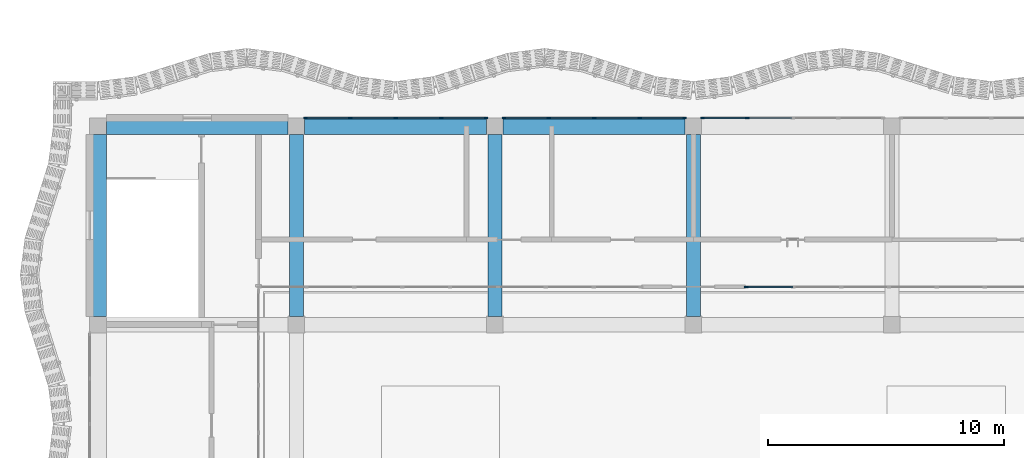
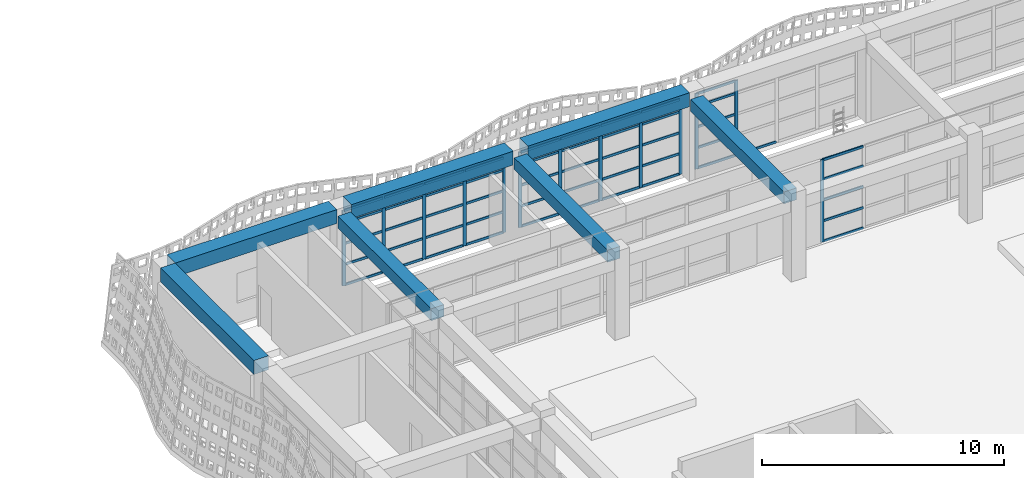
# One storey, part 11 of 85: 64 members, 7 beams, 4 elements without a shape of their own.
"""IFC4 building model written with IfcOpenShell, lengths in metres."""

from ifc_helpers import new_model, si_unit, direction, frame, origin, origin_2d, place, context, subcontext, project, spatial, rectangle, extrude, material, material_profile, profile_set, type_object, element, aggregate, save


model = new_model("IFC4")

# Units and contexts
model_context = context("Model", 3, precision=1e-05, world=origin(), true_north=direction((0.0, 1.0)))
body_context = subcontext(model_context, "Body", "Model", "MODEL_VIEW")
ifc_project = project(units=[si_unit("LENGTHUNIT", "METRE"), si_unit("AREAUNIT", "SQUARE_METRE"), si_unit("VOLUMEUNIT", "CUBIC_METRE"), si_unit("PLANEANGLEUNIT", "RADIAN"), si_unit("MASSUNIT", "GRAM", prefix="KILO")], contexts=[model_context])

# Site, building, storey
site_placement = place(None, origin())
site = spatial("IfcSite", under=ifc_project, at=site_placement, CompositionType="ELEMENT")
building_placement = place(site_placement, origin())
building = spatial("IfcBuilding", under=site, at=building_placement, Name="Rain Tree Exposition and Congress Centre", CompositionType="ELEMENT")
storey_placement = place(building_placement, frame((0.0, 0.0, 15.0)))
storey = spatial("IfcBuildingStorey", under=building, at=storey_placement, Name="L03", CompositionType="ELEMENT", Elevation=15.0)

# Beams
ifc_material_1 = material(Name="Precast concrete C50/60", Category="concrete")
ifc_material_profile_1 = material_profile(ifc_material_1, rectangle(XDim=0.60009765625, YDim=0.60009765625, at=origin_2d()), Name="RC 600x600")
ifc_profile_set_1 = profile_set([ifc_material_profile_1], Name="Precast concrete C50/60")
beam_type_1 = type_object("IfcBeamType", Name="Precast beam 600x600", PredefinedType="BEAM", material=ifc_profile_set_1)
for number, where, z_axis, x_axis, name in (
    (1, (8.39990234375, 42.35009765625, 3.85009765625), (0.0, 1.0, 0.0), (-1.0, 0.0, 0.0), "wing/beam/L03/RF/024"),
    (2, (16.800048828125, 42.35009765625, 3.85009765625), (0.0, 1.0, 0.0), (-1.0, 0.0, 0.0), "wing/beam/L03/RF/032"),
    (3, (25.199951171875, 42.35009765625, 3.85009765625), (0.0, 1.0, 0.0), (-1.0, 0.0, 0.0), "wing/beam/L03/RF/040"),
):
    element("IfcBeam", number, at=place(storey_placement, frame(where, z_axis=z_axis, x_axis=x_axis)), inside=storey, type_object=beam_type_1, Name=name, PredefinedType="BEAM", context=body_context, shape_type="SweptSolid", body=[
        extrude(rectangle(XDim=0.60009765625, YDim=0.60009765625, at=origin_2d()), origin(), (0.0, 0.0, 1.0), 7.699951171875),
    ])
ifc_material_2 = material(Name="Precast concrete C50/60", Category="concrete")
ifc_material_profile_2 = material_profile(ifc_material_2, rectangle(XDim=0.699951171875, YDim=0.699951171875, at=origin_2d()), Name="RC 700x700")
ifc_profile_set_2 = profile_set([ifc_material_profile_2], Name="Precast concrete C50/60")
beam_type_2 = type_object("IfcBeamType", Name="Precast spandrel beam 700x700", PredefinedType="SPANDREL", material=ifc_profile_set_2)
for number, where, z_axis, x_axis, name in (
    (4, (0.0, 42.35009765625, 4.14990234375), (0.0, 1.0, 0.0), (-1.0, 0.0, 0.0), "wing/beam/L03/RF/012"),
    (5, (0.35009765625, 50.39990234375, 4.14990234375), (1.0, 0.0, 0.0), (0.0, 1.0, 0.0), "wing/beam/L03/RF/061"),
    (6, (8.75, 50.39990234375, 4.14990234375), (1.0, 0.0, 0.0), (0.0, 1.0, 0.0), "wing/beam/L03/RF/063"),
):
    element("IfcBeam", number, at=place(storey_placement, frame(where, z_axis=z_axis, x_axis=x_axis)), inside=storey, type_object=beam_type_2, Name=name, PredefinedType="SPANDREL", context=body_context, shape_type="SweptSolid", body=[
        extrude(rectangle(XDim=0.699951171875, YDim=0.699951171875, at=origin_2d()), origin(), (0.0, 0.0, 1.0), 7.699951171875),
    ])
beam_placement = place(storey_placement, frame((17.14990234375, 50.39990234375, 4.14990234375), z_axis=(1.0, 0.0, 0.0), x_axis=(0.0, 1.0, 0.0)))
element("IfcBeam", 7, at=beam_placement, inside=storey, type_object=beam_type_2, Name="wing/beam/L03/RF/065", PredefinedType="SPANDREL", context=body_context, shape_type="SweptSolid", body=[
    extrude(rectangle(XDim=0.699951171875, YDim=0.699951171875, at=origin_2d()), origin(), (0.0, 0.0, 1.0), 7.7001953125),
])

# Curtain wall, members
ifc_material_3 = material(Name="Aluminium curtain wall", Category="aluminium")
curtain_wall_type = type_object("IfcCurtainWallType", Name="Wing curtain wall 1925", PredefinedType="NOTDEFINED", material=ifc_material_3)
curtain_wall_1_placement = place(storey_placement, origin())
curtain_wall_1 = element("IfcCurtainWall", 8, at=curtain_wall_1_placement, inside=storey, type_object=curtain_wall_type, Name="Curtain wall CWW404", PredefinedType="NOTDEFINED")
ifc_material_4 = material(Name="Aluminium", Category="aluminium")
ifc_material_profile_3 = material_profile(ifc_material_4, rectangle(XDim=0.06005859375, YDim=0.159912109375, at=origin_2d()), Name="Aluminium 60x160")
ifc_profile_set_3 = profile_set([ifc_material_profile_3], Name="Aluminium")
member_type_1 = type_object("IfcMemberType", Name="Wing mullion 60x160", PredefinedType="MULLION", material=ifc_profile_set_3)
member_1_placement = place(storey_placement, frame((8.780029296875, 50.75, 0.0), z_axis=(0.0, 0.0, 1.0), x_axis=(0.0, 1.0, 0.0)))
member_1 = element("IfcMember", 9, at=member_1_placement, type_object=member_type_1, Name="CWW404 mullion 1", PredefinedType="MULLION", context=body_context, shape_type="SweptSolid", body=[
    extrude(rectangle(XDim=0.06005859375, YDim=0.159912109375, at=origin_2d()), origin(), (0.0, 0.0, 1.0), 3.800048828125),
])
member_2_placement = place(storey_placement, frame((10.675048828125, 50.75, 0.0), z_axis=(0.0, 0.0, 1.0), x_axis=(0.0, 1.0, 0.0)))
member_2 = element("IfcMember", 10, at=member_2_placement, type_object=member_type_1, Name="CWW404 mullion 2", PredefinedType="MULLION", context=body_context, shape_type="SweptSolid", body=[
    extrude(rectangle(XDim=0.06005859375, YDim=0.159912109375, at=origin_2d()), origin(), (0.0, 0.0, 1.0), 3.800048828125),
])
member_3_placement = place(storey_placement, frame((12.60009765625, 50.75, 0.0), z_axis=(0.0, 0.0, 1.0), x_axis=(0.0, 1.0, 0.0)))
member_3 = element("IfcMember", 11, at=member_3_placement, type_object=member_type_1, Name="CWW404 mullion 3", PredefinedType="MULLION", context=body_context, shape_type="SweptSolid", body=[
    extrude(rectangle(XDim=0.06005859375, YDim=0.159912109375, at=origin_2d()), origin(), (0.0, 0.0, 1.0), 3.800048828125),
])
member_4_placement = place(storey_placement, frame((14.52490234375, 50.75, 0.0), z_axis=(0.0, 0.0, 1.0), x_axis=(0.0, 1.0, 0.0)))
member_4 = element("IfcMember", 12, at=member_4_placement, type_object=member_type_1, Name="CWW404 mullion 4", PredefinedType="MULLION", context=body_context, shape_type="SweptSolid", body=[
    extrude(rectangle(XDim=0.06005859375, YDim=0.159912109375, at=origin_2d()), origin(), (0.0, 0.0, 1.0), 3.800048828125),
])
member_5_placement = place(storey_placement, frame((16.419921875, 50.75, 0.0), z_axis=(0.0, 0.0, 1.0), x_axis=(0.0, 1.0, 0.0)))
member_5 = element("IfcMember", 13, at=member_5_placement, type_object=member_type_1, Name="CWW404 mullion 5", PredefinedType="MULLION", context=body_context, shape_type="SweptSolid", body=[
    extrude(rectangle(XDim=0.06005859375, YDim=0.159912109375, at=origin_2d()), origin(), (0.0, 0.0, 1.0), 3.800048828125),
])

curtain_wall_2_placement = place(storey_placement, origin())
curtain_wall_2 = element("IfcCurtainWall", 14, at=curtain_wall_2_placement, inside=storey, type_object=curtain_wall_type, Name="Curtain wall CWW405", PredefinedType="NOTDEFINED")
member_6_placement = place(storey_placement, frame((17.179931640625, 50.75, 0.0), z_axis=(0.0, 0.0, 1.0), x_axis=(0.0, 1.0, 0.0)))
member_6 = element("IfcMember", 15, at=member_6_placement, type_object=member_type_1, Name="CWW405 mullion 1", PredefinedType="MULLION", context=body_context, shape_type="SweptSolid", body=[
    extrude(rectangle(XDim=0.06005859375, YDim=0.159912109375, at=origin_2d()), origin(), (0.0, 0.0, 1.0), 3.800048828125),
])
member_7_placement = place(storey_placement, frame((19.074951171875, 50.75, 0.0), z_axis=(0.0, 0.0, 1.0), x_axis=(0.0, 1.0, 0.0)))
member_7 = element("IfcMember", 16, at=member_7_placement, type_object=member_type_1, Name="CWW405 mullion 2", PredefinedType="MULLION", context=body_context, shape_type="SweptSolid", body=[
    extrude(rectangle(XDim=0.06005859375, YDim=0.159912109375, at=origin_2d()), origin(), (0.0, 0.0, 1.0), 3.800048828125),
])
member_8_placement = place(storey_placement, frame((21.0, 50.75, 0.0), z_axis=(0.0, 0.0, 1.0), x_axis=(0.0, 1.0, 0.0)))
member_8 = element("IfcMember", 17, at=member_8_placement, type_object=member_type_1, Name="CWW405 mullion 3", PredefinedType="MULLION", context=body_context, shape_type="SweptSolid", body=[
    extrude(rectangle(XDim=0.06005859375, YDim=0.159912109375, at=origin_2d()), origin(), (0.0, 0.0, 1.0), 3.800048828125),
])
member_9_placement = place(storey_placement, frame((22.925048828125, 50.75, 0.0), z_axis=(0.0, 0.0, 1.0), x_axis=(0.0, 1.0, 0.0)))
member_9 = element("IfcMember", 18, at=member_9_placement, type_object=member_type_1, Name="CWW405 mullion 4", PredefinedType="MULLION", context=body_context, shape_type="SweptSolid", body=[
    extrude(rectangle(XDim=0.06005859375, YDim=0.159912109375, at=origin_2d()), origin(), (0.0, 0.0, 1.0), 3.800048828125),
])
member_10_placement = place(storey_placement, frame((24.820068359375, 50.75, 0.0), z_axis=(0.0, 0.0, 1.0), x_axis=(0.0, 1.0, 0.0)))
member_10 = element("IfcMember", 19, at=member_10_placement, type_object=member_type_1, Name="CWW405 mullion 5", PredefinedType="MULLION", context=body_context, shape_type="SweptSolid", body=[
    extrude(rectangle(XDim=0.06005859375, YDim=0.159912109375, at=origin_2d()), origin(), (0.0, 0.0, 1.0), 3.800048828125),
])

curtain_wall_3_placement = place(storey_placement, origin())
curtain_wall_3 = element("IfcCurtainWall", 20, at=curtain_wall_3_placement, inside=storey, type_object=curtain_wall_type, Name="Curtain wall CWW406", PredefinedType="NOTDEFINED")
member_11_placement = place(storey_placement, frame((25.580078125, 50.75, 0.0), z_axis=(0.0, 0.0, 1.0), x_axis=(0.0, 1.0, 0.0)))
member_11 = element("IfcMember", 21, at=member_11_placement, type_object=member_type_1, Name="CWW406 mullion 1", PredefinedType="MULLION", context=body_context, shape_type="SweptSolid", body=[
    extrude(rectangle(XDim=0.06005859375, YDim=0.159912109375, at=origin_2d()), origin(), (0.0, 0.0, 1.0), 3.800048828125),
])
member_12_placement = place(storey_placement, frame((27.47509765625, 50.75, 0.0), z_axis=(0.0, 0.0, 1.0), x_axis=(0.0, 1.0, 0.0)))
member_12 = element("IfcMember", 22, at=member_12_placement, type_object=member_type_1, Name="CWW406 mullion 2", PredefinedType="MULLION", context=body_context, shape_type="SweptSolid", body=[
    extrude(rectangle(XDim=0.06005859375, YDim=0.159912109375, at=origin_2d()), origin(), (0.0, 0.0, 1.0), 3.800048828125),
])

# Curtain wall, member
curtain_wall_4_placement = place(storey_placement, origin())
curtain_wall_4 = element("IfcCurtainWall", 23, at=curtain_wall_4_placement, inside=storey, type_object=curtain_wall_type, Name="Curtain wall CWW504", PredefinedType="NOTDEFINED")
member_13_placement = place(storey_placement, frame((27.429931640625, 43.60009765625, 0.0), z_axis=(0.0, 0.0, 1.0), x_axis=(0.0, 1.0, 0.0)))
member_13 = element("IfcMember", 24, at=member_13_placement, type_object=member_type_1, Name="CWW504 mullion 1", PredefinedType="MULLION", context=body_context, shape_type="SweptSolid", body=[
    extrude(rectangle(XDim=0.06005859375, YDim=0.159912109375, at=origin_2d()), origin(), (0.0, 0.0, 1.0), 4.14990234375),
])

# Member
ifc_material_5 = material(Name="Aluminium", Category="aluminium")
ifc_material_profile_4 = material_profile(ifc_material_5, rectangle(XDim=0.06005859375, YDim=0.1201171875, at=origin_2d()), Name="Aluminium 60x120")
ifc_profile_set_4 = profile_set([ifc_material_profile_4], Name="Aluminium")
member_type_2 = type_object("IfcMemberType", Name="Wing transom 60x120", PredefinedType="USERDEFINED", material=ifc_profile_set_4)
member_14_placement = place(storey_placement, frame((8.81005859375, 50.75, 0.030029296875), z_axis=(1.0, 0.0, 0.0), x_axis=(0.0, 1.0, 0.0)))
member_14 = element("IfcMember", 25, at=member_14_placement, type_object=member_type_2, Name="CWW404 transom 1.1", ObjectType="TRANSOM", PredefinedType="USERDEFINED", context=body_context, shape_type="SweptSolid", body=[
    extrude(rectangle(XDim=0.06005859375, YDim=0.1201171875, at=origin_2d()), origin(), (0.0, 0.0, 1.0), 1.8349609375),
])

member_15_placement = place(storey_placement, frame((8.81005859375, 50.75, 1.050048828125), z_axis=(1.0, 0.0, 0.0), x_axis=(0.0, 1.0, 0.0)))
member_15 = element("IfcMember", 26, at=member_15_placement, type_object=member_type_2, Name="CWW404 transom 1.2", ObjectType="TRANSOM", PredefinedType="USERDEFINED", context=body_context, shape_type="SweptSolid", body=[
    extrude(rectangle(XDim=0.06005859375, YDim=0.1201171875, at=origin_2d()), origin(), (0.0, 0.0, 1.0), 1.8349609375),
])

member_16_placement = place(storey_placement, frame((8.81005859375, 50.75, 2.10009765625), z_axis=(1.0, 0.0, 0.0), x_axis=(0.0, 1.0, 0.0)))
member_16 = element("IfcMember", 27, at=member_16_placement, type_object=member_type_2, Name="CWW404 transom 1.3", ObjectType="TRANSOM", PredefinedType="USERDEFINED", context=body_context, shape_type="SweptSolid", body=[
    extrude(rectangle(XDim=0.06005859375, YDim=0.1201171875, at=origin_2d()), origin(), (0.0, 0.0, 1.0), 1.8349609375),
])

member_17_placement = place(storey_placement, frame((8.81005859375, 50.75, 3.14990234375), z_axis=(1.0, 0.0, 0.0), x_axis=(0.0, 1.0, 0.0)))
member_17 = element("IfcMember", 28, at=member_17_placement, type_object=member_type_2, Name="CWW404 transom 1.4", ObjectType="TRANSOM", PredefinedType="USERDEFINED", context=body_context, shape_type="SweptSolid", body=[
    extrude(rectangle(XDim=0.06005859375, YDim=0.1201171875, at=origin_2d()), origin(), (0.0, 0.0, 1.0), 1.8349609375),
])

member_18_placement = place(storey_placement, frame((8.81005859375, 50.75, 3.77001953125), z_axis=(1.0, 0.0, 0.0), x_axis=(0.0, 1.0, 0.0)))
member_18 = element("IfcMember", 29, at=member_18_placement, type_object=member_type_2, Name="CWW404 transom 1.5", ObjectType="TRANSOM", PredefinedType="USERDEFINED", context=body_context, shape_type="SweptSolid", body=[
    extrude(rectangle(XDim=0.06005859375, YDim=0.1201171875, at=origin_2d()), origin(), (0.0, 0.0, 1.0), 1.8349609375),
])

member_19_placement = place(storey_placement, frame((10.705078125, 50.75, 0.030029296875), z_axis=(1.0, 0.0, 0.0), x_axis=(0.0, 1.0, 0.0)))
member_19 = element("IfcMember", 30, at=member_19_placement, type_object=member_type_2, Name="CWW404 transom 2.1", ObjectType="TRANSOM", PredefinedType="USERDEFINED", context=body_context, shape_type="SweptSolid", body=[
    extrude(rectangle(XDim=0.06005859375, YDim=0.1201171875, at=origin_2d()), origin(), (0.0, 0.0, 1.0), 1.864990234375),
])

member_20_placement = place(storey_placement, frame((10.705078125, 50.75, 1.050048828125), z_axis=(1.0, 0.0, 0.0), x_axis=(0.0, 1.0, 0.0)))
member_20 = element("IfcMember", 31, at=member_20_placement, type_object=member_type_2, Name="CWW404 transom 2.2", ObjectType="TRANSOM", PredefinedType="USERDEFINED", context=body_context, shape_type="SweptSolid", body=[
    extrude(rectangle(XDim=0.06005859375, YDim=0.1201171875, at=origin_2d()), origin(), (0.0, 0.0, 1.0), 1.864990234375),
])

member_21_placement = place(storey_placement, frame((10.705078125, 50.75, 2.10009765625), z_axis=(1.0, 0.0, 0.0), x_axis=(0.0, 1.0, 0.0)))
member_21 = element("IfcMember", 32, at=member_21_placement, type_object=member_type_2, Name="CWW404 transom 2.3", ObjectType="TRANSOM", PredefinedType="USERDEFINED", context=body_context, shape_type="SweptSolid", body=[
    extrude(rectangle(XDim=0.06005859375, YDim=0.1201171875, at=origin_2d()), origin(), (0.0, 0.0, 1.0), 1.864990234375),
])

member_22_placement = place(storey_placement, frame((10.705078125, 50.75, 3.14990234375), z_axis=(1.0, 0.0, 0.0), x_axis=(0.0, 1.0, 0.0)))
member_22 = element("IfcMember", 33, at=member_22_placement, type_object=member_type_2, Name="CWW404 transom 2.4", ObjectType="TRANSOM", PredefinedType="USERDEFINED", context=body_context, shape_type="SweptSolid", body=[
    extrude(rectangle(XDim=0.06005859375, YDim=0.1201171875, at=origin_2d()), origin(), (0.0, 0.0, 1.0), 1.864990234375),
])

member_23_placement = place(storey_placement, frame((10.705078125, 50.75, 3.77001953125), z_axis=(1.0, 0.0, 0.0), x_axis=(0.0, 1.0, 0.0)))
member_23 = element("IfcMember", 34, at=member_23_placement, type_object=member_type_2, Name="CWW404 transom 2.5", ObjectType="TRANSOM", PredefinedType="USERDEFINED", context=body_context, shape_type="SweptSolid", body=[
    extrude(rectangle(XDim=0.06005859375, YDim=0.1201171875, at=origin_2d()), origin(), (0.0, 0.0, 1.0), 1.864990234375),
])

member_24_placement = place(storey_placement, frame((12.6298828125, 50.75, 0.030029296875), z_axis=(1.0, 0.0, 0.0), x_axis=(0.0, 1.0, 0.0)))
member_24 = element("IfcMember", 35, at=member_24_placement, type_object=member_type_2, Name="CWW404 transom 3.1", ObjectType="TRANSOM", PredefinedType="USERDEFINED", context=body_context, shape_type="SweptSolid", body=[
    extrude(rectangle(XDim=0.06005859375, YDim=0.1201171875, at=origin_2d()), origin(), (0.0, 0.0, 1.0), 1.865234375),
])

member_25_placement = place(storey_placement, frame((12.6298828125, 50.75, 1.050048828125), z_axis=(1.0, 0.0, 0.0), x_axis=(0.0, 1.0, 0.0)))
member_25 = element("IfcMember", 36, at=member_25_placement, type_object=member_type_2, Name="CWW404 transom 3.2", ObjectType="TRANSOM", PredefinedType="USERDEFINED", context=body_context, shape_type="SweptSolid", body=[
    extrude(rectangle(XDim=0.06005859375, YDim=0.1201171875, at=origin_2d()), origin(), (0.0, 0.0, 1.0), 1.865234375),
])

member_26_placement = place(storey_placement, frame((12.6298828125, 50.75, 2.10009765625), z_axis=(1.0, 0.0, 0.0), x_axis=(0.0, 1.0, 0.0)))
member_26 = element("IfcMember", 37, at=member_26_placement, type_object=member_type_2, Name="CWW404 transom 3.3", ObjectType="TRANSOM", PredefinedType="USERDEFINED", context=body_context, shape_type="SweptSolid", body=[
    extrude(rectangle(XDim=0.06005859375, YDim=0.1201171875, at=origin_2d()), origin(), (0.0, 0.0, 1.0), 1.865234375),
])

member_27_placement = place(storey_placement, frame((12.6298828125, 50.75, 3.14990234375), z_axis=(1.0, 0.0, 0.0), x_axis=(0.0, 1.0, 0.0)))
member_27 = element("IfcMember", 38, at=member_27_placement, type_object=member_type_2, Name="CWW404 transom 3.4", ObjectType="TRANSOM", PredefinedType="USERDEFINED", context=body_context, shape_type="SweptSolid", body=[
    extrude(rectangle(XDim=0.06005859375, YDim=0.1201171875, at=origin_2d()), origin(), (0.0, 0.0, 1.0), 1.865234375),
])

member_28_placement = place(storey_placement, frame((12.6298828125, 50.75, 3.77001953125), z_axis=(1.0, 0.0, 0.0), x_axis=(0.0, 1.0, 0.0)))
member_28 = element("IfcMember", 39, at=member_28_placement, type_object=member_type_2, Name="CWW404 transom 3.5", ObjectType="TRANSOM", PredefinedType="USERDEFINED", context=body_context, shape_type="SweptSolid", body=[
    extrude(rectangle(XDim=0.06005859375, YDim=0.1201171875, at=origin_2d()), origin(), (0.0, 0.0, 1.0), 1.865234375),
])

member_29_placement = place(storey_placement, frame((14.554931640625, 50.75, 0.030029296875), z_axis=(1.0, 0.0, 0.0), x_axis=(0.0, 1.0, 0.0)))
member_29 = element("IfcMember", 40, at=member_29_placement, type_object=member_type_2, Name="CWW404 transom 4.1", ObjectType="TRANSOM", PredefinedType="USERDEFINED", context=body_context, shape_type="SweptSolid", body=[
    extrude(rectangle(XDim=0.06005859375, YDim=0.1201171875, at=origin_2d()), origin(), (0.0, 0.0, 1.0), 1.8349609375),
])

member_30_placement = place(storey_placement, frame((14.554931640625, 50.75, 1.050048828125), z_axis=(1.0, 0.0, 0.0), x_axis=(0.0, 1.0, 0.0)))
member_30 = element("IfcMember", 41, at=member_30_placement, type_object=member_type_2, Name="CWW404 transom 4.2", ObjectType="TRANSOM", PredefinedType="USERDEFINED", context=body_context, shape_type="SweptSolid", body=[
    extrude(rectangle(XDim=0.06005859375, YDim=0.1201171875, at=origin_2d()), origin(), (0.0, 0.0, 1.0), 1.8349609375),
])

member_31_placement = place(storey_placement, frame((14.554931640625, 50.75, 2.10009765625), z_axis=(1.0, 0.0, 0.0), x_axis=(0.0, 1.0, 0.0)))
member_31 = element("IfcMember", 42, at=member_31_placement, type_object=member_type_2, Name="CWW404 transom 4.3", ObjectType="TRANSOM", PredefinedType="USERDEFINED", context=body_context, shape_type="SweptSolid", body=[
    extrude(rectangle(XDim=0.06005859375, YDim=0.1201171875, at=origin_2d()), origin(), (0.0, 0.0, 1.0), 1.8349609375),
])

member_32_placement = place(storey_placement, frame((14.554931640625, 50.75, 3.14990234375), z_axis=(1.0, 0.0, 0.0), x_axis=(0.0, 1.0, 0.0)))
member_32 = element("IfcMember", 43, at=member_32_placement, type_object=member_type_2, Name="CWW404 transom 4.4", ObjectType="TRANSOM", PredefinedType="USERDEFINED", context=body_context, shape_type="SweptSolid", body=[
    extrude(rectangle(XDim=0.06005859375, YDim=0.1201171875, at=origin_2d()), origin(), (0.0, 0.0, 1.0), 1.8349609375),
])

member_33_placement = place(storey_placement, frame((14.554931640625, 50.75, 3.77001953125), z_axis=(1.0, 0.0, 0.0), x_axis=(0.0, 1.0, 0.0)))
member_33 = element("IfcMember", 44, at=member_33_placement, type_object=member_type_2, Name="CWW404 transom 4.5", ObjectType="TRANSOM", PredefinedType="USERDEFINED", context=body_context, shape_type="SweptSolid", body=[
    extrude(rectangle(XDim=0.06005859375, YDim=0.1201171875, at=origin_2d()), origin(), (0.0, 0.0, 1.0), 1.8349609375),
])

aggregate(curtain_wall_1, [member_1, member_2, member_3, member_4, member_5, member_14, member_15, member_16, member_17, member_18, member_19, member_20, member_21, member_22, member_23, member_24, member_25, member_26, member_27, member_28, member_29, member_30, member_31, member_32, member_33])

member_34_placement = place(storey_placement, frame((17.2099609375, 50.75, 0.030029296875), z_axis=(1.0, 0.0, 0.0), x_axis=(0.0, 1.0, 0.0)))
member_34 = element("IfcMember", 45, at=member_34_placement, type_object=member_type_2, Name="CWW405 transom 1.1", ObjectType="TRANSOM", PredefinedType="USERDEFINED", context=body_context, shape_type="SweptSolid", body=[
    extrude(rectangle(XDim=0.06005859375, YDim=0.1201171875, at=origin_2d()), origin(), (0.0, 0.0, 1.0), 1.8349609375),
])

member_35_placement = place(storey_placement, frame((17.2099609375, 50.75, 1.050048828125), z_axis=(1.0, 0.0, 0.0), x_axis=(0.0, 1.0, 0.0)))
member_35 = element("IfcMember", 46, at=member_35_placement, type_object=member_type_2, Name="CWW405 transom 1.2", ObjectType="TRANSOM", PredefinedType="USERDEFINED", context=body_context, shape_type="SweptSolid", body=[
    extrude(rectangle(XDim=0.06005859375, YDim=0.1201171875, at=origin_2d()), origin(), (0.0, 0.0, 1.0), 1.8349609375),
])

member_36_placement = place(storey_placement, frame((17.2099609375, 50.75, 2.10009765625), z_axis=(1.0, 0.0, 0.0), x_axis=(0.0, 1.0, 0.0)))
member_36 = element("IfcMember", 47, at=member_36_placement, type_object=member_type_2, Name="CWW405 transom 1.3", ObjectType="TRANSOM", PredefinedType="USERDEFINED", context=body_context, shape_type="SweptSolid", body=[
    extrude(rectangle(XDim=0.06005859375, YDim=0.1201171875, at=origin_2d()), origin(), (0.0, 0.0, 1.0), 1.8349609375),
])

member_37_placement = place(storey_placement, frame((17.2099609375, 50.75, 3.14990234375), z_axis=(1.0, 0.0, 0.0), x_axis=(0.0, 1.0, 0.0)))
member_37 = element("IfcMember", 48, at=member_37_placement, type_object=member_type_2, Name="CWW405 transom 1.4", ObjectType="TRANSOM", PredefinedType="USERDEFINED", context=body_context, shape_type="SweptSolid", body=[
    extrude(rectangle(XDim=0.06005859375, YDim=0.1201171875, at=origin_2d()), origin(), (0.0, 0.0, 1.0), 1.8349609375),
])

member_38_placement = place(storey_placement, frame((17.2099609375, 50.75, 3.77001953125), z_axis=(1.0, 0.0, 0.0), x_axis=(0.0, 1.0, 0.0)))
member_38 = element("IfcMember", 49, at=member_38_placement, type_object=member_type_2, Name="CWW405 transom 1.5", ObjectType="TRANSOM", PredefinedType="USERDEFINED", context=body_context, shape_type="SweptSolid", body=[
    extrude(rectangle(XDim=0.06005859375, YDim=0.1201171875, at=origin_2d()), origin(), (0.0, 0.0, 1.0), 1.8349609375),
])

member_39_placement = place(storey_placement, frame((19.10498046875, 50.75, 0.030029296875), z_axis=(1.0, 0.0, 0.0), x_axis=(0.0, 1.0, 0.0)))
member_39 = element("IfcMember", 50, at=member_39_placement, type_object=member_type_2, Name="CWW405 transom 2.1", ObjectType="TRANSOM", PredefinedType="USERDEFINED", context=body_context, shape_type="SweptSolid", body=[
    extrude(rectangle(XDim=0.06005859375, YDim=0.1201171875, at=origin_2d()), origin(), (0.0, 0.0, 1.0), 1.864990234375),
])

member_40_placement = place(storey_placement, frame((19.10498046875, 50.75, 1.050048828125), z_axis=(1.0, 0.0, 0.0), x_axis=(0.0, 1.0, 0.0)))
member_40 = element("IfcMember", 51, at=member_40_placement, type_object=member_type_2, Name="CWW405 transom 2.2", ObjectType="TRANSOM", PredefinedType="USERDEFINED", context=body_context, shape_type="SweptSolid", body=[
    extrude(rectangle(XDim=0.06005859375, YDim=0.1201171875, at=origin_2d()), origin(), (0.0, 0.0, 1.0), 1.864990234375),
])

member_41_placement = place(storey_placement, frame((19.10498046875, 50.75, 2.10009765625), z_axis=(1.0, 0.0, 0.0), x_axis=(0.0, 1.0, 0.0)))
member_41 = element("IfcMember", 52, at=member_41_placement, type_object=member_type_2, Name="CWW405 transom 2.3", ObjectType="TRANSOM", PredefinedType="USERDEFINED", context=body_context, shape_type="SweptSolid", body=[
    extrude(rectangle(XDim=0.06005859375, YDim=0.1201171875, at=origin_2d()), origin(), (0.0, 0.0, 1.0), 1.864990234375),
])

member_42_placement = place(storey_placement, frame((19.10498046875, 50.75, 3.14990234375), z_axis=(1.0, 0.0, 0.0), x_axis=(0.0, 1.0, 0.0)))
member_42 = element("IfcMember", 53, at=member_42_placement, type_object=member_type_2, Name="CWW405 transom 2.4", ObjectType="TRANSOM", PredefinedType="USERDEFINED", context=body_context, shape_type="SweptSolid", body=[
    extrude(rectangle(XDim=0.06005859375, YDim=0.1201171875, at=origin_2d()), origin(), (0.0, 0.0, 1.0), 1.864990234375),
])

member_43_placement = place(storey_placement, frame((19.10498046875, 50.75, 3.77001953125), z_axis=(1.0, 0.0, 0.0), x_axis=(0.0, 1.0, 0.0)))
member_43 = element("IfcMember", 54, at=member_43_placement, type_object=member_type_2, Name="CWW405 transom 2.5", ObjectType="TRANSOM", PredefinedType="USERDEFINED", context=body_context, shape_type="SweptSolid", body=[
    extrude(rectangle(XDim=0.06005859375, YDim=0.1201171875, at=origin_2d()), origin(), (0.0, 0.0, 1.0), 1.864990234375),
])

member_44_placement = place(storey_placement, frame((21.030029296875, 50.75, 0.030029296875), z_axis=(1.0, 0.0, 0.0), x_axis=(0.0, 1.0, 0.0)))
member_44 = element("IfcMember", 55, at=member_44_placement, type_object=member_type_2, Name="CWW405 transom 3.1", ObjectType="TRANSOM", PredefinedType="USERDEFINED", context=body_context, shape_type="SweptSolid", body=[
    extrude(rectangle(XDim=0.06005859375, YDim=0.1201171875, at=origin_2d()), origin(), (0.0, 0.0, 1.0), 1.864990234375),
])

member_45_placement = place(storey_placement, frame((21.030029296875, 50.75, 1.050048828125), z_axis=(1.0, 0.0, 0.0), x_axis=(0.0, 1.0, 0.0)))
member_45 = element("IfcMember", 56, at=member_45_placement, type_object=member_type_2, Name="CWW405 transom 3.2", ObjectType="TRANSOM", PredefinedType="USERDEFINED", context=body_context, shape_type="SweptSolid", body=[
    extrude(rectangle(XDim=0.06005859375, YDim=0.1201171875, at=origin_2d()), origin(), (0.0, 0.0, 1.0), 1.864990234375),
])

member_46_placement = place(storey_placement, frame((21.030029296875, 50.75, 2.10009765625), z_axis=(1.0, 0.0, 0.0), x_axis=(0.0, 1.0, 0.0)))
member_46 = element("IfcMember", 57, at=member_46_placement, type_object=member_type_2, Name="CWW405 transom 3.3", ObjectType="TRANSOM", PredefinedType="USERDEFINED", context=body_context, shape_type="SweptSolid", body=[
    extrude(rectangle(XDim=0.06005859375, YDim=0.1201171875, at=origin_2d()), origin(), (0.0, 0.0, 1.0), 1.864990234375),
])

member_47_placement = place(storey_placement, frame((21.030029296875, 50.75, 3.14990234375), z_axis=(1.0, 0.0, 0.0), x_axis=(0.0, 1.0, 0.0)))
member_47 = element("IfcMember", 58, at=member_47_placement, type_object=member_type_2, Name="CWW405 transom 3.4", ObjectType="TRANSOM", PredefinedType="USERDEFINED", context=body_context, shape_type="SweptSolid", body=[
    extrude(rectangle(XDim=0.06005859375, YDim=0.1201171875, at=origin_2d()), origin(), (0.0, 0.0, 1.0), 1.864990234375),
])

member_48_placement = place(storey_placement, frame((21.030029296875, 50.75, 3.77001953125), z_axis=(1.0, 0.0, 0.0), x_axis=(0.0, 1.0, 0.0)))
member_48 = element("IfcMember", 59, at=member_48_placement, type_object=member_type_2, Name="CWW405 transom 3.5", ObjectType="TRANSOM", PredefinedType="USERDEFINED", context=body_context, shape_type="SweptSolid", body=[
    extrude(rectangle(XDim=0.06005859375, YDim=0.1201171875, at=origin_2d()), origin(), (0.0, 0.0, 1.0), 1.864990234375),
])

member_49_placement = place(storey_placement, frame((22.955078125, 50.75, 0.030029296875), z_axis=(1.0, 0.0, 0.0), x_axis=(0.0, 1.0, 0.0)))
member_49 = element("IfcMember", 60, at=member_49_placement, type_object=member_type_2, Name="CWW405 transom 4.1", ObjectType="TRANSOM", PredefinedType="USERDEFINED", context=body_context, shape_type="SweptSolid", body=[
    extrude(rectangle(XDim=0.06005859375, YDim=0.1201171875, at=origin_2d()), origin(), (0.0, 0.0, 1.0), 1.8349609375),
])

member_50_placement = place(storey_placement, frame((22.955078125, 50.75, 1.050048828125), z_axis=(1.0, 0.0, 0.0), x_axis=(0.0, 1.0, 0.0)))
member_50 = element("IfcMember", 61, at=member_50_placement, type_object=member_type_2, Name="CWW405 transom 4.2", ObjectType="TRANSOM", PredefinedType="USERDEFINED", context=body_context, shape_type="SweptSolid", body=[
    extrude(rectangle(XDim=0.06005859375, YDim=0.1201171875, at=origin_2d()), origin(), (0.0, 0.0, 1.0), 1.8349609375),
])

member_51_placement = place(storey_placement, frame((22.955078125, 50.75, 2.10009765625), z_axis=(1.0, 0.0, 0.0), x_axis=(0.0, 1.0, 0.0)))
member_51 = element("IfcMember", 62, at=member_51_placement, type_object=member_type_2, Name="CWW405 transom 4.3", ObjectType="TRANSOM", PredefinedType="USERDEFINED", context=body_context, shape_type="SweptSolid", body=[
    extrude(rectangle(XDim=0.06005859375, YDim=0.1201171875, at=origin_2d()), origin(), (0.0, 0.0, 1.0), 1.8349609375),
])

member_52_placement = place(storey_placement, frame((22.955078125, 50.75, 3.14990234375), z_axis=(1.0, 0.0, 0.0), x_axis=(0.0, 1.0, 0.0)))
member_52 = element("IfcMember", 63, at=member_52_placement, type_object=member_type_2, Name="CWW405 transom 4.4", ObjectType="TRANSOM", PredefinedType="USERDEFINED", context=body_context, shape_type="SweptSolid", body=[
    extrude(rectangle(XDim=0.06005859375, YDim=0.1201171875, at=origin_2d()), origin(), (0.0, 0.0, 1.0), 1.8349609375),
])

member_53_placement = place(storey_placement, frame((22.955078125, 50.75, 3.77001953125), z_axis=(1.0, 0.0, 0.0), x_axis=(0.0, 1.0, 0.0)))
member_53 = element("IfcMember", 64, at=member_53_placement, type_object=member_type_2, Name="CWW405 transom 4.5", ObjectType="TRANSOM", PredefinedType="USERDEFINED", context=body_context, shape_type="SweptSolid", body=[
    extrude(rectangle(XDim=0.06005859375, YDim=0.1201171875, at=origin_2d()), origin(), (0.0, 0.0, 1.0), 1.8349609375),
])

aggregate(curtain_wall_2, [member_6, member_7, member_8, member_9, member_10, member_34, member_35, member_36, member_37, member_38, member_39, member_40, member_41, member_42, member_43, member_44, member_45, member_46, member_47, member_48, member_49, member_50, member_51, member_52, member_53])

member_54_placement = place(storey_placement, frame((25.610107421875, 50.75, 0.030029296875), z_axis=(1.0, 0.0, 0.0), x_axis=(0.0, 1.0, 0.0)))
member_54 = element("IfcMember", 65, at=member_54_placement, type_object=member_type_2, Name="CWW406 transom 1.1", ObjectType="TRANSOM", PredefinedType="USERDEFINED", context=body_context, shape_type="SweptSolid", body=[
    extrude(rectangle(XDim=0.06005859375, YDim=0.1201171875, at=origin_2d()), origin(), (0.0, 0.0, 1.0), 1.8349609375),
])

member_55_placement = place(storey_placement, frame((25.610107421875, 50.75, 1.050048828125), z_axis=(1.0, 0.0, 0.0), x_axis=(0.0, 1.0, 0.0)))
member_55 = element("IfcMember", 66, at=member_55_placement, type_object=member_type_2, Name="CWW406 transom 1.2", ObjectType="TRANSOM", PredefinedType="USERDEFINED", context=body_context, shape_type="SweptSolid", body=[
    extrude(rectangle(XDim=0.06005859375, YDim=0.1201171875, at=origin_2d()), origin(), (0.0, 0.0, 1.0), 1.8349609375),
])

member_56_placement = place(storey_placement, frame((25.610107421875, 50.75, 2.10009765625), z_axis=(1.0, 0.0, 0.0), x_axis=(0.0, 1.0, 0.0)))
member_56 = element("IfcMember", 67, at=member_56_placement, type_object=member_type_2, Name="CWW406 transom 1.3", ObjectType="TRANSOM", PredefinedType="USERDEFINED", context=body_context, shape_type="SweptSolid", body=[
    extrude(rectangle(XDim=0.06005859375, YDim=0.1201171875, at=origin_2d()), origin(), (0.0, 0.0, 1.0), 1.8349609375),
])

member_57_placement = place(storey_placement, frame((25.610107421875, 50.75, 3.14990234375), z_axis=(1.0, 0.0, 0.0), x_axis=(0.0, 1.0, 0.0)))
member_57 = element("IfcMember", 68, at=member_57_placement, type_object=member_type_2, Name="CWW406 transom 1.4", ObjectType="TRANSOM", PredefinedType="USERDEFINED", context=body_context, shape_type="SweptSolid", body=[
    extrude(rectangle(XDim=0.06005859375, YDim=0.1201171875, at=origin_2d()), origin(), (0.0, 0.0, 1.0), 1.8349609375),
])

member_58_placement = place(storey_placement, frame((25.610107421875, 50.75, 3.77001953125), z_axis=(1.0, 0.0, 0.0), x_axis=(0.0, 1.0, 0.0)))
member_58 = element("IfcMember", 69, at=member_58_placement, type_object=member_type_2, Name="CWW406 transom 1.5", ObjectType="TRANSOM", PredefinedType="USERDEFINED", context=body_context, shape_type="SweptSolid", body=[
    extrude(rectangle(XDim=0.06005859375, YDim=0.1201171875, at=origin_2d()), origin(), (0.0, 0.0, 1.0), 1.8349609375),
])

member_59_placement = place(storey_placement, frame((27.5048828125, 50.75, 0.030029296875), z_axis=(1.0, 0.0, 0.0), x_axis=(0.0, 1.0, 0.0)))
member_59 = element("IfcMember", 70, at=member_59_placement, type_object=member_type_2, Name="CWW406 transom 2.1", ObjectType="TRANSOM", PredefinedType="USERDEFINED", context=body_context, shape_type="SweptSolid", body=[
    extrude(rectangle(XDim=0.06005859375, YDim=0.1201171875, at=origin_2d()), origin(), (0.0, 0.0, 1.0), 1.865234375),
])

aggregate(curtain_wall_3, [member_11, member_12, member_54, member_55, member_56, member_57, member_58, member_59])

member_60_placement = place(storey_placement, frame((27.4599609375, 43.60009765625, 0.030029296875), z_axis=(1.0, 0.0, 0.0), x_axis=(0.0, 1.0, 0.0)))
member_60 = element("IfcMember", 71, at=member_60_placement, type_object=member_type_2, Name="CWW504 transom 1.1", ObjectType="TRANSOM", PredefinedType="USERDEFINED", context=body_context, shape_type="SweptSolid", body=[
    extrude(rectangle(XDim=0.06005859375, YDim=0.1201171875, at=origin_2d()), origin(), (0.0, 0.0, 1.0), 1.93505859375),
])

member_61_placement = place(storey_placement, frame((27.4599609375, 43.60009765625, 1.050048828125), z_axis=(1.0, 0.0, 0.0), x_axis=(0.0, 1.0, 0.0)))
member_61 = element("IfcMember", 72, at=member_61_placement, type_object=member_type_2, Name="CWW504 transom 1.2", ObjectType="TRANSOM", PredefinedType="USERDEFINED", context=body_context, shape_type="SweptSolid", body=[
    extrude(rectangle(XDim=0.06005859375, YDim=0.1201171875, at=origin_2d()), origin(), (0.0, 0.0, 1.0), 1.93505859375),
])

member_62_placement = place(storey_placement, frame((27.4599609375, 43.60009765625, 2.10009765625), z_axis=(1.0, 0.0, 0.0), x_axis=(0.0, 1.0, 0.0)))
member_62 = element("IfcMember", 73, at=member_62_placement, type_object=member_type_2, Name="CWW504 transom 1.3", ObjectType="TRANSOM", PredefinedType="USERDEFINED", context=body_context, shape_type="SweptSolid", body=[
    extrude(rectangle(XDim=0.06005859375, YDim=0.1201171875, at=origin_2d()), origin(), (0.0, 0.0, 1.0), 1.93505859375),
])

member_63_placement = place(storey_placement, frame((27.4599609375, 43.60009765625, 3.14990234375), z_axis=(1.0, 0.0, 0.0), x_axis=(0.0, 1.0, 0.0)))
member_63 = element("IfcMember", 74, at=member_63_placement, type_object=member_type_2, Name="CWW504 transom 1.4", ObjectType="TRANSOM", PredefinedType="USERDEFINED", context=body_context, shape_type="SweptSolid", body=[
    extrude(rectangle(XDim=0.06005859375, YDim=0.1201171875, at=origin_2d()), origin(), (0.0, 0.0, 1.0), 1.93505859375),
])

member_64_placement = place(storey_placement, frame((27.4599609375, 43.60009765625, 4.1201171875), z_axis=(1.0, 0.0, 0.0), x_axis=(0.0, 1.0, 0.0)))
member_64 = element("IfcMember", 75, at=member_64_placement, type_object=member_type_2, Name="CWW504 transom 1.5", ObjectType="TRANSOM", PredefinedType="USERDEFINED", context=body_context, shape_type="SweptSolid", body=[
    extrude(rectangle(XDim=0.06005859375, YDim=0.1201171875, at=origin_2d()), origin(), (0.0, 0.0, 1.0), 1.93505859375),
])

aggregate(curtain_wall_4, [member_13, member_60, member_61, member_62, member_63, member_64])

save(model, "model.ifc")
